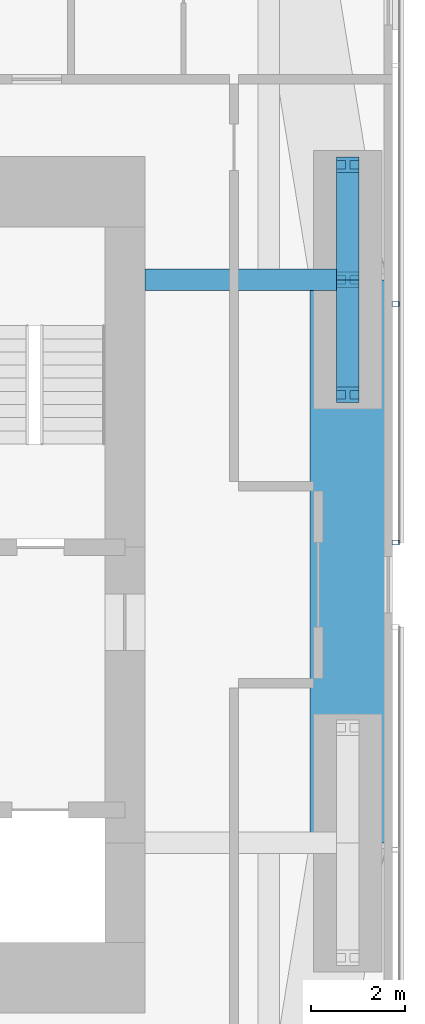
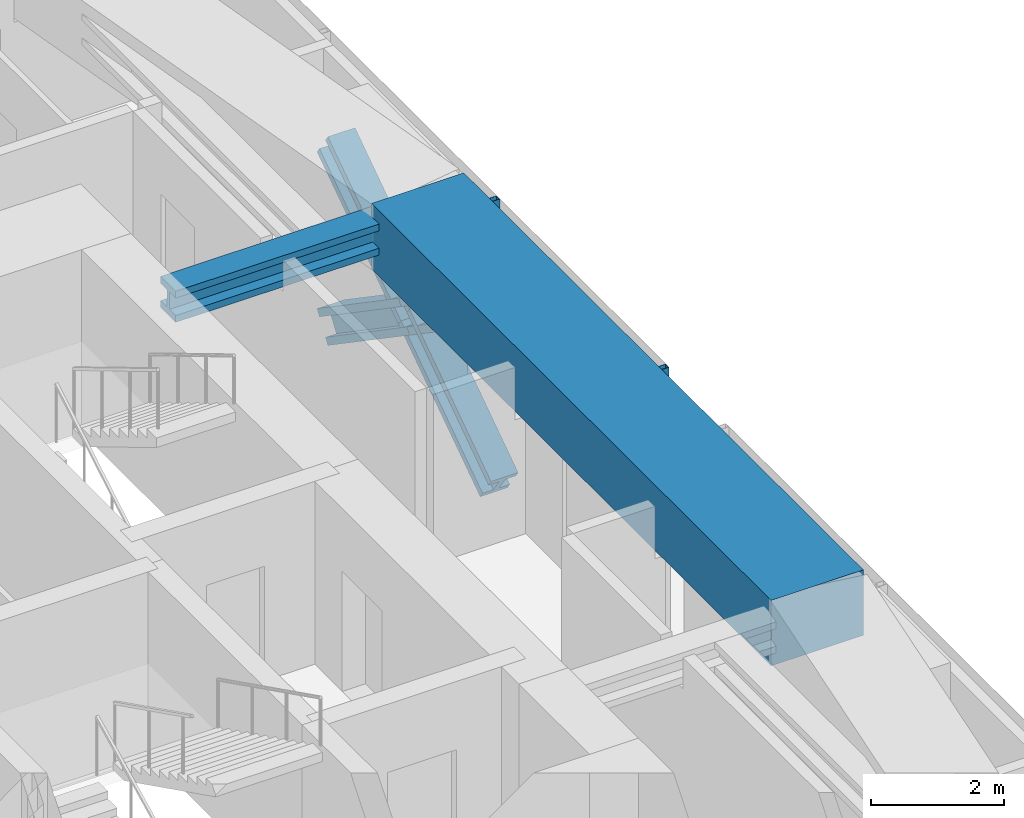
# One storey, part 10 of 25: 6 members, 2 beams, 1 element without a shape of its own.
"""IFC4 building model written with IfcOpenShell, lengths in metres."""

from ifc_helpers import new_model, si_unit, direction, frame, origin, origin_2d, place, context, subcontext, project, spatial, rectangle, hollow_rectangle, i_section, extrude, material, material_profile, profile_set, type_object, element, aggregate, save


model = new_model("IFC4")

# Units and contexts
model_context = context("Model", 3, precision=1e-05, world=origin(), true_north=direction((0.0, 1.0)))
body_context = subcontext(model_context, "Body", "Model", "MODEL_VIEW")
ifc_project = project(units=[si_unit("LENGTHUNIT", "METRE"), si_unit("AREAUNIT", "SQUARE_METRE"), si_unit("VOLUMEUNIT", "CUBIC_METRE"), si_unit("PLANEANGLEUNIT", "RADIAN"), si_unit("MASSUNIT", "GRAM", prefix="KILO")], contexts=[model_context])

# Site, building, storey
site_placement = place(None, origin())
site = spatial("IfcSite", under=ifc_project, at=site_placement, CompositionType="ELEMENT")
building_placement = place(site_placement, origin())
building = spatial("IfcBuilding", under=site, at=building_placement, Name="Jalousie Tower", CompositionType="ELEMENT")
storey_placement = place(building_placement, frame((0.0, 0.0, 94.800048828125)))
storey = spatial("IfcBuildingStorey", under=building, at=storey_placement, Name="L25", CompositionType="ELEMENT", Elevation=94.800048828125)

# Beam
ifc_material_1 = material(Name="Steel ASTM A992 Grade 50", Category="steel")
ifc_material_profile_1 = material_profile(ifc_material_1, i_section(OverallWidth=0.45458984375, OverallDepth=0.569091796875, WebThickness=0.077880859375, FlangeThickness=0.124755859375, at=origin_2d()), Name="W14X730")
ifc_profile_set_1 = profile_set([ifc_material_profile_1], Name="Steel ASTM A992 Grade 50")
beam_type_1 = type_object("IfcBeamType", Name="LEAN COLLECTOR W14X730", PredefinedType="BEAM", material=ifc_profile_set_1)
beam_1_placement = place(storey_placement, frame((48.550048828125, 25.0, 2.825439453125), z_axis=(-1.0, 0.0, 0.0), x_axis=(0.0, -1.0, 0.0)))
element("IfcBeam", 1, at=beam_1_placement, inside=storey, type_object=beam_type_1, Name="Lean collector under L26", PredefinedType="BEAM", context=body_context, shape_type="SweptSolid", body=[
    extrude(i_section(OverallWidth=0.45458984375, OverallDepth=0.569091796875, WebThickness=0.077880859375, FlangeThickness=0.124755859375, at=origin_2d()), origin(), (0.0, 0.0, 1.0), 4.324951171875),
])

# Members
ifc_material_2 = material(Name="Steel ASTM A992 Grade 50", Category="steel")
ifc_material_profile_2 = material_profile(ifc_material_2, i_section(OverallWidth=0.472412109375, OverallDepth=0.5791015625, WebThickness=0.094970703125, FlangeThickness=0.1298828125, at=origin_2d()), Name="W14X808")
ifc_profile_set_2 = profile_set([ifc_material_profile_2], Name="Steel ASTM A992 Grade 50")
member_type_1 = type_object("IfcMemberType", Name="PERIMETER BRACE W14X808", PredefinedType="BRACE", material=ifc_profile_set_2)
for number, where, z_axis, x_axis, name in (
    (2, (48.550048828125, 22.550048828125, -0.60009765625), (0.0, 0.825500916831, 0.564400776321), (-1.0, 0.0, 0.0), "Perimeter brace 07 L25 part 1"),
    (3, (48.550048828125, 25.0, 1.074951171875), (0.0, 0.825500916831, 0.564400776321), (-1.0, 0.0, 0.0), "Perimeter brace 07 L25 part 2"),
    (4, (48.550048828125, 27.449951171875, -0.60009765625), (0.0, -0.825500916831, 0.564400776321), (1.0, 0.0, 0.0), "Perimeter brace 07 L25 part 3"),
    (5, (48.550048828125, 25.0, 1.074951171875), (0.0, -0.825500916831, 0.564400776321), (1.0, 0.0, 0.0), "Perimeter brace 07 L25 part 4"),
):
    element("IfcMember", number, at=place(storey_placement, frame(where, z_axis=z_axis, x_axis=x_axis)), inside=storey, type_object=member_type_1, Name=name, PredefinedType="BRACE", context=body_context, shape_type="SweptSolid", body=[
        extrude(i_section(OverallWidth=0.472412109375, OverallDepth=0.5791015625, WebThickness=0.094970703125, FlangeThickness=0.1298828125, at=origin_2d()), origin(), (0.0, 0.0, 1.0), 2.9677734375),
    ])

# Beam
ifc_material_3 = material(Name="Concrete f'c 40 MPa", Category="concrete")
ifc_material_profile_3 = material_profile(ifc_material_3, rectangle(XDim=1.60009765625, YDim=1.199951171875, at=origin_2d()), Name="RC 1600x1200")
ifc_profile_set_3 = profile_set([ifc_material_profile_3], Name="Concrete f'c 40 MPa")
beam_type_2 = type_object("IfcBeamType", Name="RC BEAM 1600x1200", PredefinedType="BEAM", material=ifc_profile_set_3)
beam_2_placement = place(storey_placement, frame((48.550048828125, 13.0, 2.75), z_axis=(0.0, 1.0, 0.0), x_axis=(-1.0, 0.0, 0.0)))
element("IfcBeam", 6, at=beam_2_placement, inside=storey, type_object=beam_type_2, Name="Edge band beam 06-07 under L26", PredefinedType="BEAM", context=body_context, shape_type="SweptSolid", body=[
    extrude(rectangle(XDim=1.60009765625, YDim=1.199951171875, at=origin_2d()), origin(), (0.0, 0.0, 1.0), 12.0),
])

# Curtain wall, members
ifc_material_4 = material(Name="Perforated aluminium sheet", Category="aluminium")
curtain_wall_type = type_object("IfcCurtainWallType", Name="SOLAR SCREEN SS-1", PredefinedType="USERDEFINED", material=ifc_material_4)
curtain_wall_placement = place(storey_placement, origin())
curtain_wall = element("IfcCurtainWall", 7, at=curtain_wall_placement, inside=storey, type_object=curtain_wall_type, Name="Solar screen L25", ObjectType="SOLAR SCREEN SS-1", PredefinedType="USERDEFINED")
ifc_material_5 = material(Name="Steel ASTM A500 Grade C", Category="steel")
ifc_material_profile_4 = material_profile(ifc_material_5, hollow_rectangle(XDim=0.1015625, YDim=0.15234375, WallThickness=0.00634765625, at=origin_2d()), Name="HSS6X4X1/4")
ifc_profile_set_4 = profile_set([ifc_material_profile_4], Name="Steel ASTM A500 Grade C")
member_type_2 = type_object("IfcMemberType", Name="SOLAR SCREEN SS-1 MULLION", PredefinedType="MULLION", material=ifc_profile_set_4)
member_1_placement = place(storey_placement, frame((49.5712890625, 19.39990234375, -0.1201171875), z_axis=(0.0, 0.0, 1.0), x_axis=(0.0, 1.0, 0.0)))
member_1 = element("IfcMember", 8, at=member_1_placement, type_object=member_type_2, Name="SS1 post 1", PredefinedType="MULLION", context=body_context, shape_type="SweptSolid", body=[
    extrude(hollow_rectangle(XDim=0.1015625, YDim=0.15234375, WallThickness=0.00634765625, at=origin_2d()), origin(), (0.0, 0.0, 1.0), 3.22998046875),
])
member_2_placement = place(storey_placement, frame((49.5712890625, 24.48291015625, -0.1201171875), z_axis=(0.0, 0.0, 1.0), x_axis=(0.0, 1.0, 0.0)))
member_2 = element("IfcMember", 9, at=member_2_placement, type_object=member_type_2, Name="SS1 post 2", PredefinedType="MULLION", context=body_context, shape_type="SweptSolid", body=[
    extrude(hollow_rectangle(XDim=0.1015625, YDim=0.15234375, WallThickness=0.00634765625, at=origin_2d()), origin(), (0.0, 0.0, 1.0), 3.22998046875),
])
aggregate(curtain_wall, [member_1, member_2])

save(model, "model.ifc")
